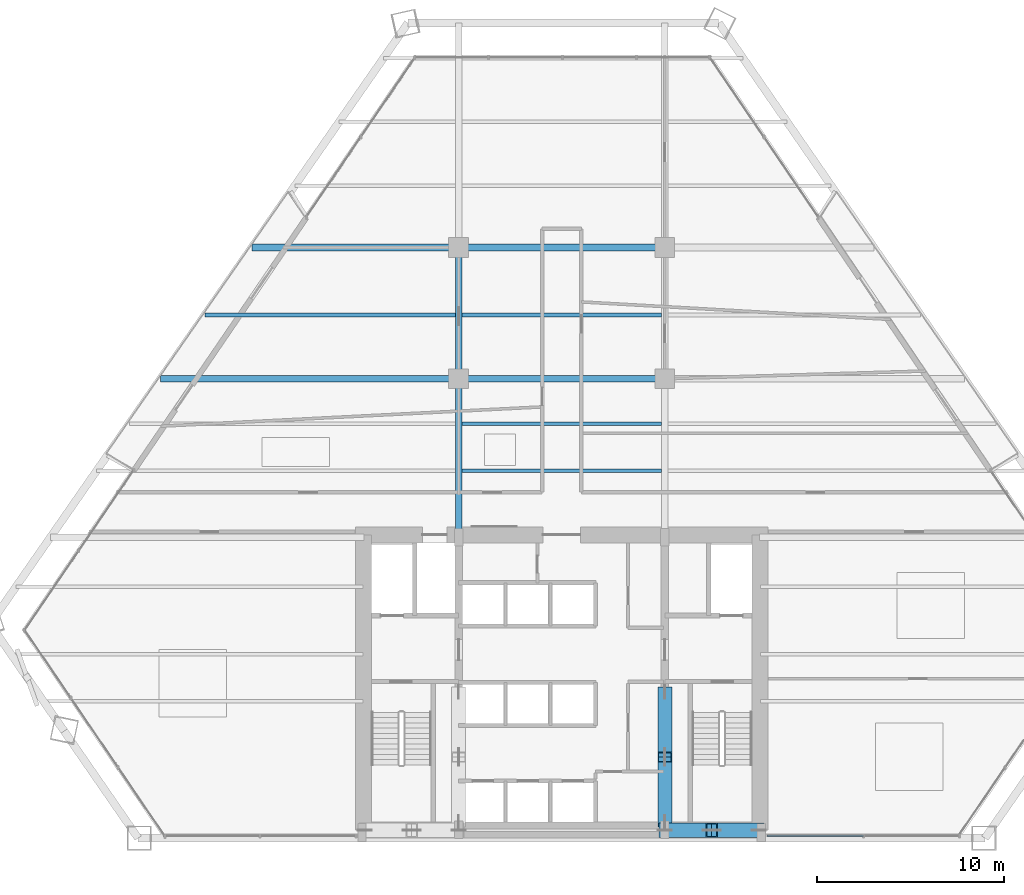
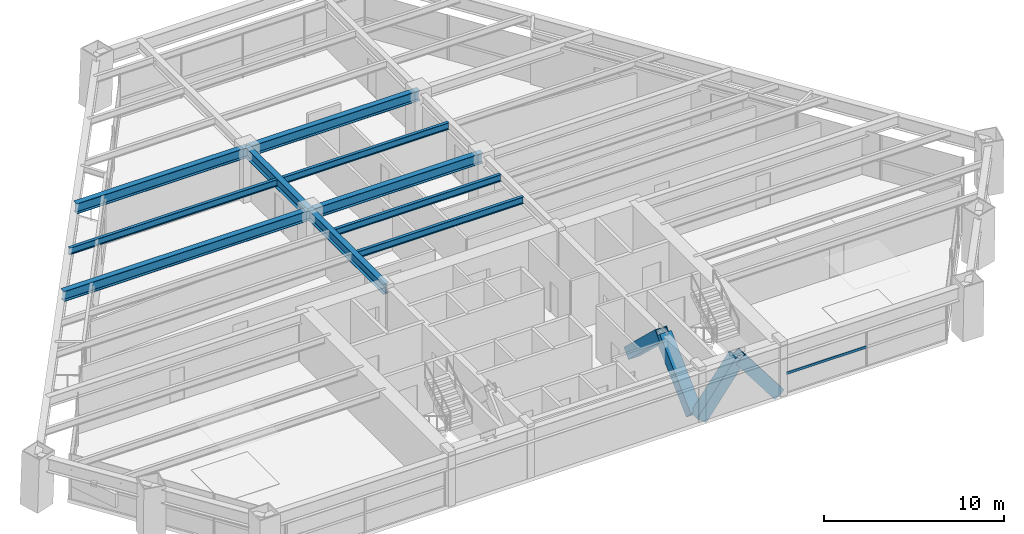
# One storey, part 5 of 14: 10 beams, 5 members, 1 element without a shape of its own.
"""IFC4 building model written with IfcOpenShell, lengths in metres."""

from ifc_helpers import new_model, si_unit, direction, frame, origin, origin_2d, place, context, subcontext, project, spatial, rectangle, hollow_rectangle, i_section, extrude, source, transform, mapped, material, material_profile, profile_set, type_object, type_shapes, element, aggregate, save


model = new_model("IFC4")

# Units and contexts
model_context = context("Model", 3, precision=1e-05, world=origin(), true_north=direction((0.0, 1.0)))
body_context = subcontext(model_context, "Body", "Model", "MODEL_VIEW")
ifc_project = project(units=[si_unit("LENGTHUNIT", "METRE"), si_unit("AREAUNIT", "SQUARE_METRE"), si_unit("VOLUMEUNIT", "CUBIC_METRE"), si_unit("PLANEANGLEUNIT", "RADIAN"), si_unit("MASSUNIT", "GRAM", prefix="KILO")], contexts=[model_context])

# Site, building, storey
site_placement = place(None, origin())
site = spatial("IfcSite", under=ifc_project, at=site_placement, CompositionType="ELEMENT")
building_placement = place(site_placement, origin())
building = spatial("IfcBuilding", under=site, at=building_placement, Name="Varnakhor Terracotta Tower", CompositionType="ELEMENT")
storey_placement = place(building_placement, frame((0.0, 0.0, 31.199951171875)))
storey = spatial("IfcBuildingStorey", under=building, at=storey_placement, Name="L06", CompositionType="ELEMENT", Elevation=31.199951171875)

# Beams
ifc_material_1 = material(Name="Steel S355", Category="steel")
ifc_material_profile_1 = material_profile(ifc_material_1, i_section(OverallWidth=0.35498046875, OverallDepth=0.695068359375, WebThickness=0.014892578125, FlangeThickness=0.02490234375, FilletRadius=0.01806640625, at=origin_2d()), Name="W27X146")
ifc_profile_set_1 = profile_set([ifc_material_profile_1], Name="Steel S355")
beam_type_1 = type_object("IfcBeamType", Name="BM-W27X146", PredefinedType="BEAM", material=ifc_profile_set_1)
shared_shape_1 = source(origin(), body_context, "Body", "SweptSolid", [
    extrude(i_section(OverallWidth=0.35498046875, OverallDepth=0.695068359375, WebThickness=0.014892578125, FlangeThickness=0.02490234375, FilletRadius=0.01806640625, at=origin_2d()), origin(), (0.0, 0.0, 1.0), 8.449951171875),
])
type_shapes(beam_type_1, [shared_shape_1])
beam_1_placement = place(storey_placement, frame((-5.5, 16.050048828125, 3.1025390625), z_axis=(0.0, 1.0, 0.0), x_axis=(-1.0, 0.0, 0.0)))
element("IfcBeam", 1, at=beam_1_placement, inside=storey, type_object=beam_type_1, Name="L06 Primary Girder NS1-W", PredefinedType="BEAM", context=body_context, shape_type="MappedRepresentation", body=[
    mapped(shared_shape_1, transform((0.0, 0.0, 0.0), scale=1.0)),
])
shared_shape_2 = source(origin(), body_context, "Body", "SweptSolid", [
    extrude(i_section(OverallWidth=0.35498046875, OverallDepth=0.695068359375, WebThickness=0.014892578125, FlangeThickness=0.02490234375, FilletRadius=0.01806640625, at=origin_2d()), origin(), (0.0, 0.0, 1.0), 7.0),
])
beam_2_placement = place(storey_placement, frame((-5.5, 24.5, 3.1025390625), z_axis=(0.0, 1.0, 0.0), x_axis=(-1.0, 0.0, 0.0)))
element("IfcBeam", 2, at=beam_2_placement, inside=storey, type_object=beam_type_1, Name="L06 Primary Girder NS2-W", PredefinedType="BEAM", context=body_context, shape_type="MappedRepresentation", body=[
    mapped(shared_shape_2, transform((0.0, 0.0, 0.0), scale=1.0)),
])
shared_shape_3 = source(origin(), body_context, "Body", "SweptSolid", [
    extrude(i_section(OverallWidth=0.35498046875, OverallDepth=0.695068359375, WebThickness=0.014892578125, FlangeThickness=0.02490234375, FilletRadius=0.01806640625, at=origin_2d()), origin(), (0.0, 0.0, 1.0), 11.0),
])
for number, where, z_axis, x_axis, name in (
    (3, (-5.5, 24.5, 3.1025390625), (1.0, 0.0, 0.0), (0.0, 1.0, 0.0), "L06 Primary Girder EW2-2"),
    (4, (-5.5, 31.5, 3.1025390625), (1.0, 0.0, 0.0), (0.0, 1.0, 0.0), "L06 Primary Girder EW3-2"),
):
    element("IfcBeam", number, at=place(storey_placement, frame(where, z_axis=z_axis, x_axis=x_axis)), inside=storey, type_object=beam_type_1, Name=name, PredefinedType="BEAM", context=body_context, shape_type="MappedRepresentation", body=[
        mapped(shared_shape_3, transform((0.0, 0.0, 0.0), scale=1.0)),
    ])
ifc_material_profile_2 = material_profile(ifc_material_1, i_section(OverallWidth=0.19189453125, OverallDepth=0.462890625, WebThickness=0.010498046875, FlangeThickness=0.017578125, FilletRadius=0.01806640625, at=origin_2d()), Name="W18X60")
ifc_profile_set_2 = profile_set([ifc_material_profile_2], Name="Steel S355")
beam_type_2 = type_object("IfcBeamType", Name="JST-W18X60", PredefinedType="JOIST", material=ifc_profile_set_2)
shared_shape_4 = source(origin(), body_context, "Body", "SweptSolid", [
    extrude(i_section(OverallWidth=0.19189453125, OverallDepth=0.462890625, WebThickness=0.010498046875, FlangeThickness=0.017578125, FilletRadius=0.01806640625, at=origin_2d()), origin(), (0.0, 0.0, 1.0), 10.65283203125),
])
for number, where, z_axis, x_axis, name in (
    (5, (-5.326416015625, 19.60009765625, 3.218505859375), (1.0, 0.0, 0.0), (0.0, 1.0, 0.0), "L06 Composite Floor Joist 4-2"),
    (6, (-5.326416015625, 22.10009765625, 3.218505859375), (1.0, 0.0, 0.0), (0.0, 1.0, 0.0), "L06 Composite Floor Joist 5-2"),
    (7, (-5.326416015625, 27.89990234375, 3.218505859375), (1.0, 0.0, 0.0), (0.0, 1.0, 0.0), "L06 Composite Floor Joist 6-2"),
):
    element("IfcBeam", number, at=place(storey_placement, frame(where, z_axis=z_axis, x_axis=x_axis)), inside=storey, type_object=beam_type_2, Name=name, PredefinedType="JOIST", context=body_context, shape_type="MappedRepresentation", body=[
        mapped(shared_shape_4, transform((0.0, 0.0, 0.0), scale=1.0)),
    ])

# Members
ifc_material_2 = material(Name="Steel S460", Category="steel")
ifc_material_profile_3 = material_profile(ifc_material_2, hollow_rectangle(XDim=0.75, YDim=0.75, WallThickness=0.044921875, at=origin_2d()), Name="HSS750X750X45")
ifc_profile_set_3 = profile_set([ifc_material_profile_3], Name="Steel S460")
member_type_1 = type_object("IfcMemberType", Name="MBR-MEGA-750", PredefinedType="BRACE", material=ifc_profile_set_3)
shared_shape_5 = source(origin(), body_context, "Body", "SweptSolid", [
    extrude(hollow_rectangle(XDim=0.75, YDim=0.75, WallThickness=0.044921875, at=origin_2d()), origin(), (0.0, 0.0, 1.0), 4.14013671875),
])
type_shapes(member_type_1, [shared_shape_5])
for number, where, z_axis, x_axis, name in (
    (8, (5.5, 0.419921875, 0.0), (0.603852011179, 0.0, 0.797096448741), (0.0, 1.0, 0.0), "L06 Core Coupled Brace CSEA"),
    (9, (10.5, 0.419921875, 0.0), (-0.603852011179, 0.0, 0.797096448741), (0.0, -1.0, 0.0), "L06 Core Coupled Brace CSEB"),
):
    element("IfcMember", number, at=place(storey_placement, frame(where, z_axis=z_axis, x_axis=x_axis)), inside=storey, type_object=member_type_1, Name=name, PredefinedType="BRACE", context=body_context, shape_type="MappedRepresentation", body=[
        mapped(shared_shape_5, transform((0.0, 0.0, 0.0), scale=1.0)),
    ])
shared_shape_6 = source(origin(), body_context, "Body", "SweptSolid", [
    extrude(hollow_rectangle(XDim=0.75, YDim=0.75, WallThickness=0.044921875, at=origin_2d()), origin(), (0.0, 0.0, 1.0), 4.792236328125),
])
for number, where, z_axis, x_axis, name in (
    (10, (5.5, 0.85009765625, 0.0), (0.0, 0.725110085518, 0.688632967466), (-1.0, 0.0, 0.0), "L06 Core Coupled Brace CWEA"),
    (11, (5.5, 7.800048828125, 0.0), (0.0, -0.72513424341, 0.688607529028), (1.0, 0.0, 0.0), "L06 Core Coupled Brace CWEB"),
):
    element("IfcMember", number, at=place(storey_placement, frame(where, z_axis=z_axis, x_axis=x_axis)), inside=storey, type_object=member_type_1, Name=name, PredefinedType="BRACE", context=body_context, shape_type="MappedRepresentation", body=[
        mapped(shared_shape_6, transform((0.0, 0.0, 0.0), scale=1.0)),
    ])

# Beams
shared_shape_7 = source(origin(), body_context, "Body", "SweptSolid", [
    extrude(i_section(OverallWidth=0.35498046875, OverallDepth=0.695068359375, WebThickness=0.014892578125, FlangeThickness=0.02490234375, FilletRadius=0.01806640625, at=origin_2d()), origin(), (0.0, 0.0, 1.0), 15.894287109375),
])
beam_3_placement = place(storey_placement, frame((-21.394287109375, 24.5, 3.1025390625), z_axis=(1.0, 0.0, 0.0), x_axis=(0.0, 1.0, 0.0)))
element("IfcBeam", 12, at=beam_3_placement, inside=storey, type_object=beam_type_1, Name="L06 Primary Girder EW2-1", PredefinedType="BEAM", context=body_context, shape_type="MappedRepresentation", body=[
    mapped(shared_shape_7, transform((0.0, 0.0, 0.0), scale=1.0)),
])
shared_shape_8 = source(origin(), body_context, "Body", "SweptSolid", [
    extrude(i_section(OverallWidth=0.35498046875, OverallDepth=0.695068359375, WebThickness=0.014892578125, FlangeThickness=0.02490234375, FilletRadius=0.01806640625, at=origin_2d()), origin(), (0.0, 0.0, 1.0), 11.028076171875),
])
beam_4_placement = place(storey_placement, frame((-16.528076171875, 31.5, 3.1025390625), z_axis=(1.0, 0.0, 0.0), x_axis=(0.0, 1.0, 0.0)))
element("IfcBeam", 13, at=beam_4_placement, inside=storey, type_object=beam_type_1, Name="L06 Primary Girder EW3-1", PredefinedType="BEAM", context=body_context, shape_type="MappedRepresentation", body=[
    mapped(shared_shape_8, transform((0.0, 0.0, 0.0), scale=1.0)),
])
shared_shape_9 = source(origin(), body_context, "Body", "SweptSolid", [
    extrude(i_section(OverallWidth=0.19189453125, OverallDepth=0.462890625, WebThickness=0.010498046875, FlangeThickness=0.017578125, FilletRadius=0.01806640625, at=origin_2d()), origin(), (0.0, 0.0, 1.0), 13.357177734375),
])
beam_5_placement = place(storey_placement, frame((-19.03076171875, 27.89990234375, 3.218505859375), z_axis=(1.0, 0.0, 0.0), x_axis=(0.0, 1.0, 0.0)))
element("IfcBeam", 14, at=beam_5_placement, inside=storey, type_object=beam_type_2, Name="L06 Composite Floor Joist 6-1", PredefinedType="JOIST", context=body_context, shape_type="MappedRepresentation", body=[
    mapped(shared_shape_9, transform((0.0, 0.0, 0.0), scale=1.0)),
])

# Curtain wall, member
ifc_material_3 = material(Name="Anodised Aluminium Curtain Wall System", Category="aluminium")
curtain_wall_type = type_object("IfcCurtainWallType", Name="CW-SYS-LOW-OFFICE", PredefinedType="NOTDEFINED", material=ifc_material_3)
curtain_wall_placement = place(storey_placement, origin())
curtain_wall = element("IfcCurtainWall", 15, at=curtain_wall_placement, inside=storey, type_object=curtain_wall_type, Name="L06 South Wing Curtain Wall SSE", PredefinedType="NOTDEFINED")
ifc_material_4 = material(Name="Anodised Aluminium 6063-T6", Category="aluminium")
ifc_material_profile_4 = material_profile(ifc_material_4, rectangle(XDim=0.074951171875, YDim=0.1650390625, at=origin_2d()), Name="ALU TRANSOM 75x165")
ifc_profile_set_4 = profile_set([ifc_material_profile_4], Name="Anodised Aluminium 6063-T6")
member_type_2 = type_object("IfcMemberType", Name="CWT-02", PredefinedType="USERDEFINED", material=ifc_profile_set_4)
shared_shape_10 = source(origin(), body_context, "Body", "SweptSolid", [
    extrude(rectangle(XDim=0.074951171875, YDim=0.1650390625, at=origin_2d()), origin(), (0.0, 0.0, 1.0), 5.122314453125),
])
member_placement = place(storey_placement, frame((16.09228515625, 0.1201171875, 1.272705078125), z_axis=(-1.0, 0.0, 0.0), x_axis=(0.0, -1.0, 0.0)))
member = element("IfcMember", 16, at=member_placement, type_object=member_type_2, Name="L06 South Wing Curtain Wall SSE Transom 2", ObjectType="TRANSOM", PredefinedType="USERDEFINED", context=body_context, shape_type="MappedRepresentation", body=[
    mapped(shared_shape_10, transform((0.0, 0.0, 0.0), scale=1.0)),
])
aggregate(curtain_wall, [member])

save(model, "model.ifc")
